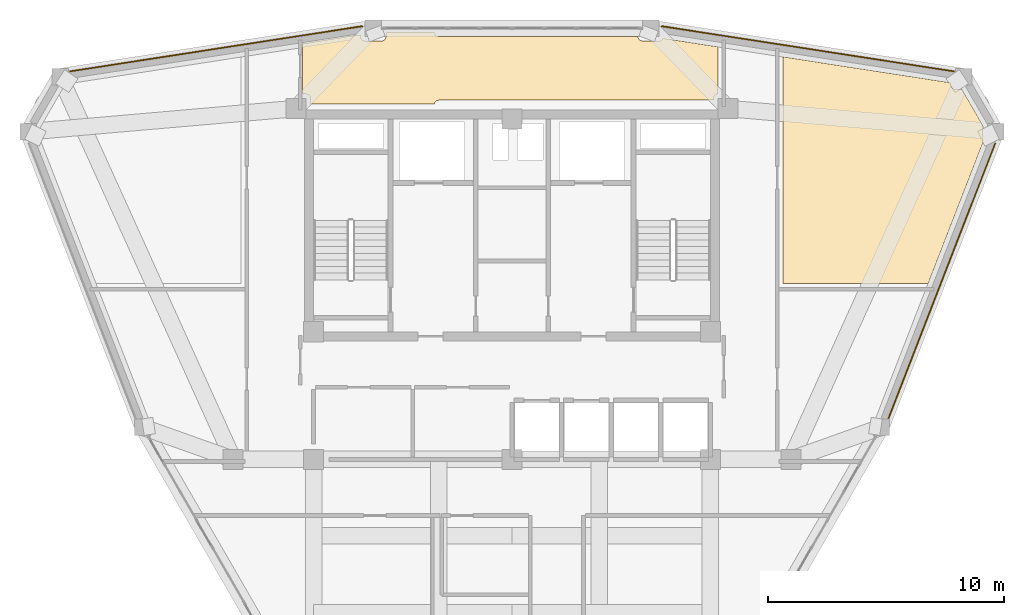
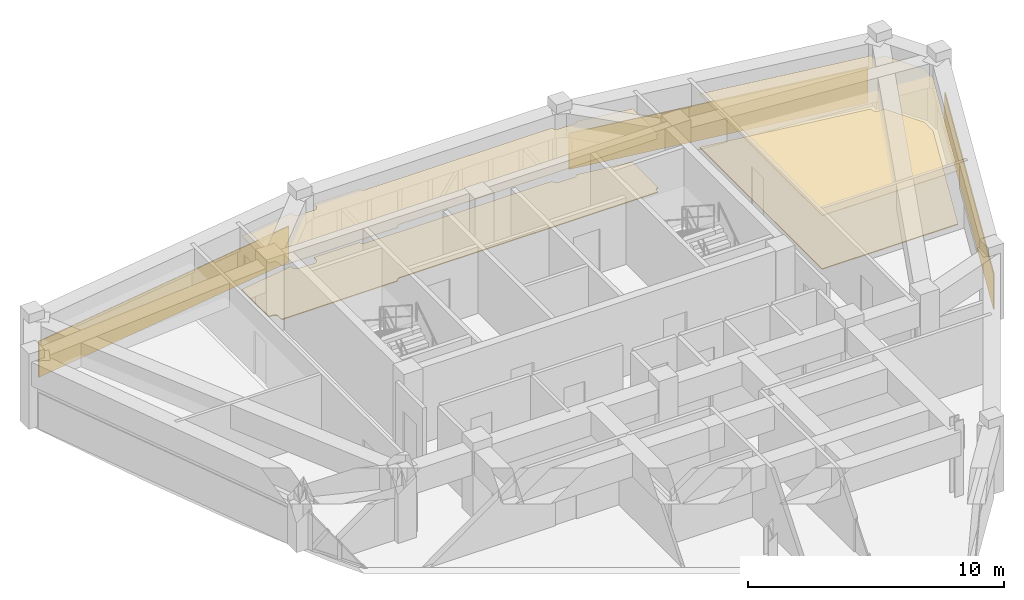
# One storey, part 14 of 14: 7 coverings.
"""IFC4 building model written with IfcOpenShell, lengths in metres."""

from ifc_helpers import new_model, si_unit, derived_unit, direction, frame, origin, place, context, subcontext, project, spatial, polyline, outline, extrude, material, layer, layer_set, type_object, element, save


model = new_model("IFC4")

# Units and contexts
model_context = context("Model", 3, precision=1e-05, world=origin(), true_north=direction((0.0, 1.0)))
body_context = subcontext(model_context, "Body", "Model", "MODEL_VIEW")
ifc_project = project(units=[si_unit("LENGTHUNIT", "METRE"), si_unit("AREAUNIT", "SQUARE_METRE"), si_unit("VOLUMEUNIT", "CUBIC_METRE"), si_unit("PLANEANGLEUNIT", "RADIAN"), si_unit("MASSUNIT", "GRAM", prefix="KILO"), derived_unit("THERMALTRANSMITTANCEUNIT", [(si_unit("POWERUNIT", "WATT"), 1), (si_unit("LENGTHUNIT", "METRE"), -2), (si_unit("THERMODYNAMICTEMPERATUREUNIT", "KELVIN"), -1)])], contexts=[model_context])

# Site, building, storey
site_placement = place(None, origin())
site = spatial("IfcSite", under=ifc_project, at=site_placement, CompositionType="ELEMENT")
building_placement = place(site_placement, origin())
building = spatial("IfcBuilding", under=site, at=building_placement, Name="Korsvarv Bourse and Concert Hall", CompositionType="ELEMENT")
storey_placement = place(building_placement, frame((0.0, 0.0, 271.800048828125)))
storey = spatial("IfcBuildingStorey", under=building, at=storey_placement, Name="L71", CompositionType="ELEMENT", Elevation=271.800048828125)

# Coverings
ifc_material_1 = material(Name="Perforated mineral-wool and birch acoustic baffle ceiling", Category="wood")
ifc_layer_1 = layer(ifc_material_1, 0.02490234375)
ifc_layer_set_1 = layer_set([ifc_layer_1], Name="Perforated mineral-wool and birch acoustic baffle ceiling")
covering_type_1 = type_object("IfcCoveringType", Name="COV-CEIL-1", PredefinedType="CEILING", material=ifc_layer_set_1)
covering_1_placement = place(storey_placement, frame((0.0, 0.0, 2.56005859375)))
element("IfcCovering", 1, at=covering_1_placement, inside=storey, type_object=covering_type_1, Name="L71 acoustic baffle ceiling 2", PredefinedType="CEILING", context=body_context, shape_type="SweptSolid", body=[
    extrude(outline(polyline([(54.587890625, 48.248046875), (54.59130859375, 48.21337890625), (54.601318359375, 48.18017578125), (54.617431640625, 48.1494140625), (54.63916015625, 48.122314453125), (54.66552734375, 48.10009765625), (54.69580078125, 48.0830078125), (54.72900390625, 48.072265625), (54.76318359375, 48.068115234375), (55.045654296875, 48.060791015625), (55.93408203125, 46.521484375), (55.93408203125, 45.916259765625), (55.9375, 45.88134765625), (55.947509765625, 45.848876953125), (53.61865234375, 39.85009765625), (47.47998046875, 39.85009765625), (47.47998046875, 49.435791015625), (54.587890625, 48.33740234375), (54.587890625, 48.248046875)])), origin(), (0.0, 0.0, 1.0), 0.02490234375),
])
covering_2_placement = place(storey_placement, frame((0.0, 0.0, 2.56005859375)))
element("IfcCovering", 2, at=covering_2_placement, inside=storey, type_object=covering_type_1, Name="L71 acoustic baffle ceiling 3", PredefinedType="CEILING", context=body_context, shape_type="SweptSolid", body=[
    extrude(outline(polyline([(29.590576171875, 50.381103515625), (29.590576171875, 50.296630859375), (29.593994140625, 50.261962890625), (29.60400390625, 50.228515625), (29.620361328125, 50.197509765625), (29.642333984375, 50.17041015625), (29.669189453125, 50.14794921875), (29.699951171875, 50.131103515625), (29.733154296875, 50.12060546875), (29.76806640625, 50.11669921875), (30.47802734375, 50.106689453125), (30.5126953125, 50.109619140625), (30.54638671875, 50.119140625), (30.57763671875, 50.135009765625), (30.60498046875, 50.15673828125), (30.6279296875, 50.183349609375), (30.64501953125, 50.2138671875), (30.656005859375, 50.2470703125), (30.660400390625, 50.28173828125), (30.66552734375, 50.466796875), (32.711181640625, 50.466796875), (32.7158203125, 50.44140625), (32.728515625, 50.407470703125), (32.747802734375, 50.37646484375), (32.772705078125, 50.35009765625), (32.802734375, 50.329345703125), (32.836181640625, 50.31494140625), (32.871826171875, 50.3076171875), (41.32958984375, 50.306640625), (41.330322265625, 50.279296875), (41.337158203125, 50.244873046875), (41.350341796875, 50.21240234375), (41.36962890625, 50.183349609375), (41.394287109375, 50.158447265625), (41.423095703125, 50.138916015625), (41.455322265625, 50.125), (41.489501953125, 50.117919921875), (42.217041015625, 50.106689453125), (42.253173828125, 50.10986328125), (42.287841796875, 50.1201171875), (42.31982421875, 50.13720703125), (42.347900390625, 50.160400390625), (42.37060546875, 50.188720703125), (42.38720703125, 50.22119140625), (44.7099609375, 49.86376953125), (44.7099609375, 47.8642578125), (44.674072265625, 47.857666015625), (44.64208984375, 47.8447265625), (44.613037109375, 47.825927734375), (44.58837890625, 47.802001953125), (44.568603515625, 47.77392578125), (44.554443359375, 47.742431640625), (44.546630859375, 47.708984375), (44.541748046875, 47.60009765625), (32.889892578125, 47.60009765625), (32.853759765625, 47.59619140625), (32.819091796875, 47.58544921875), (32.787109375, 47.567626953125), (32.759521484375, 47.5439453125), (32.7373046875, 47.51513671875), (32.72119140625, 47.482421875), (32.712158203125, 47.447265625), (27.465087890625, 47.43994140625), (27.465087890625, 47.675048828125), (27.461669921875, 47.70947265625), (27.451904296875, 47.74267578125), (27.435791015625, 47.773193359375), (27.414306640625, 47.80029296875), (27.3876953125, 47.82275390625), (27.357666015625, 47.839599609375), (27.32470703125, 47.8505859375), (27.290283203125, 47.85498046875), (27.1298828125, 47.859619140625), (27.1298828125, 49.9912109375), (29.590576171875, 50.381103515625)])), origin(), (0.0, 0.0, 1.0), 0.02490234375),
])
ifc_material_2 = material(Name="Warm iron-oxide extruded terracotta rainscreen tile", Category="ceramic")
ifc_layer_2 = layer(ifc_material_2, 0.044921875)
ifc_layer_set_2 = layer_set([ifc_layer_2], Name="Warm iron-oxide extruded terracotta rainscreen tile")
covering_type_2 = type_object("IfcCoveringType", Name="COV-CLD-TC", PredefinedType="CLADDING", material=ifc_layer_set_2)
covering_3_placement = place(storey_placement, origin())
element("IfcCovering", 3, at=covering_3_placement, inside=storey, type_object=covering_type_2, Name="L71 fluted terracotta cladding panel EW-L71-B02", PredefinedType="CLADDING", context=body_context, shape_type="SweptSolid", body=[
    extrude(outline(polyline([(54.714599609375, 48.798583984375), (42.32421875, 50.712890625), (42.3310546875, 50.757568359375), (54.721435546875, 48.843017578125), (54.714599609375, 48.798583984375)])), origin(), (0.0, 0.0, 1.0), 1.719970703125),
])
covering_4_placement = place(storey_placement, origin())
element("IfcCovering", 4, at=covering_4_placement, inside=storey, type_object=covering_type_2, Name="L71 fluted terracotta cladding panel EW-L71-B04", PredefinedType="CLADDING", context=body_context, shape_type="SweptSolid", body=[
    extrude(outline(polyline([(29.67578125, 50.712890625), (17.285400390625, 48.798583984375), (17.278564453125, 48.843017578125), (29.6689453125, 50.757568359375), (29.67578125, 50.712890625)])), origin(), (0.0, 0.0, 1.0), 1.719970703125),
])
covering_5_placement = place(storey_placement, origin())
element("IfcCovering", 5, at=covering_5_placement, inside=storey, type_object=covering_type_2, Name="L71 fluted terracotta cladding panel EW-L71-B12", PredefinedType="CLADDING", context=body_context, shape_type="SweptSolid", body=[
    extrude(outline(polyline([(51.911865234375, 34.140380859375), (56.433349609375, 45.787841796875), (56.47509765625, 45.771484375), (51.953857421875, 34.124267578125), (51.911865234375, 34.140380859375)])), origin(), (0.0, 0.0, 1.0), 1.719970703125),
])
ifc_material_3 = material(Name="Calcium-sulphate raised access trading floor with Nordic oak top", Category="wood")
ifc_layer_3 = layer(ifc_material_3, 0.0400390625)
ifc_layer_set_3 = layer_set([ifc_layer_3], Name="Calcium-sulphate raised access trading floor with Nordic oak top")
covering_type_3 = type_object("IfcCoveringType", Name="COV-FLOR-1", PredefinedType="FLOORING", material=ifc_layer_set_3)
covering_6_placement = place(storey_placement, origin())
element("IfcCovering", 6, at=covering_6_placement, inside=storey, type_object=covering_type_3, Name="L71 raised access oak floor finish 2", PredefinedType="FLOORING", context=body_context, shape_type="SweptSolid", body=[
    extrude(outline(polyline([(54.587890625, 48.248046875), (54.59130859375, 48.21337890625), (54.601318359375, 48.18017578125), (54.617431640625, 48.1494140625), (54.63916015625, 48.122314453125), (54.66552734375, 48.10009765625), (54.69580078125, 48.0830078125), (54.72900390625, 48.072265625), (54.76318359375, 48.068115234375), (55.045654296875, 48.060791015625), (55.93408203125, 46.521484375), (55.93408203125, 45.916259765625), (55.9375, 45.88134765625), (55.947509765625, 45.848876953125), (53.61865234375, 39.85009765625), (47.47998046875, 39.85009765625), (47.47998046875, 49.435791015625), (54.587890625, 48.33740234375), (54.587890625, 48.248046875)])), origin(), (0.0, 0.0, 1.0), 0.0400390625),
])
covering_7_placement = place(storey_placement, origin())
element("IfcCovering", 7, at=covering_7_placement, inside=storey, type_object=covering_type_3, Name="L71 raised access oak floor finish 3", PredefinedType="FLOORING", context=body_context, shape_type="SweptSolid", body=[
    extrude(outline(polyline([(29.590576171875, 50.381103515625), (29.590576171875, 50.296630859375), (29.593994140625, 50.261962890625), (29.60400390625, 50.228515625), (29.620361328125, 50.197509765625), (29.642333984375, 50.17041015625), (29.669189453125, 50.14794921875), (29.699951171875, 50.131103515625), (29.733154296875, 50.12060546875), (29.76806640625, 50.11669921875), (30.47802734375, 50.106689453125), (30.5126953125, 50.109619140625), (30.54638671875, 50.119140625), (30.57763671875, 50.135009765625), (30.60498046875, 50.15673828125), (30.6279296875, 50.183349609375), (30.64501953125, 50.2138671875), (30.656005859375, 50.2470703125), (30.660400390625, 50.28173828125), (30.66552734375, 50.466796875), (32.711181640625, 50.466796875), (32.7158203125, 50.44140625), (32.728515625, 50.407470703125), (32.747802734375, 50.37646484375), (32.772705078125, 50.35009765625), (32.802734375, 50.329345703125), (32.836181640625, 50.31494140625), (32.871826171875, 50.3076171875), (41.32958984375, 50.306640625), (41.330322265625, 50.279296875), (41.337158203125, 50.244873046875), (41.350341796875, 50.21240234375), (41.36962890625, 50.183349609375), (41.394287109375, 50.158447265625), (41.423095703125, 50.138916015625), (41.455322265625, 50.125), (41.489501953125, 50.117919921875), (42.217041015625, 50.106689453125), (42.253173828125, 50.10986328125), (42.287841796875, 50.1201171875), (42.31982421875, 50.13720703125), (42.347900390625, 50.160400390625), (42.37060546875, 50.188720703125), (42.38720703125, 50.22119140625), (44.7099609375, 49.86376953125), (44.7099609375, 47.8642578125), (44.674072265625, 47.857666015625), (44.64208984375, 47.8447265625), (44.613037109375, 47.825927734375), (44.58837890625, 47.802001953125), (44.568603515625, 47.77392578125), (44.554443359375, 47.742431640625), (44.546630859375, 47.708984375), (44.541748046875, 47.60009765625), (32.889892578125, 47.60009765625), (32.853759765625, 47.59619140625), (32.819091796875, 47.58544921875), (32.787109375, 47.567626953125), (32.759521484375, 47.5439453125), (32.7373046875, 47.51513671875), (32.72119140625, 47.482421875), (32.712158203125, 47.447265625), (27.465087890625, 47.43994140625), (27.465087890625, 47.675048828125), (27.461669921875, 47.70947265625), (27.451904296875, 47.74267578125), (27.435791015625, 47.773193359375), (27.414306640625, 47.80029296875), (27.3876953125, 47.82275390625), (27.357666015625, 47.839599609375), (27.32470703125, 47.8505859375), (27.290283203125, 47.85498046875), (27.1298828125, 47.859619140625), (27.1298828125, 49.9912109375), (29.590576171875, 50.381103515625)])), origin(), (0.0, 0.0, 1.0), 0.0400390625),
])

save(model, "model.ifc")
